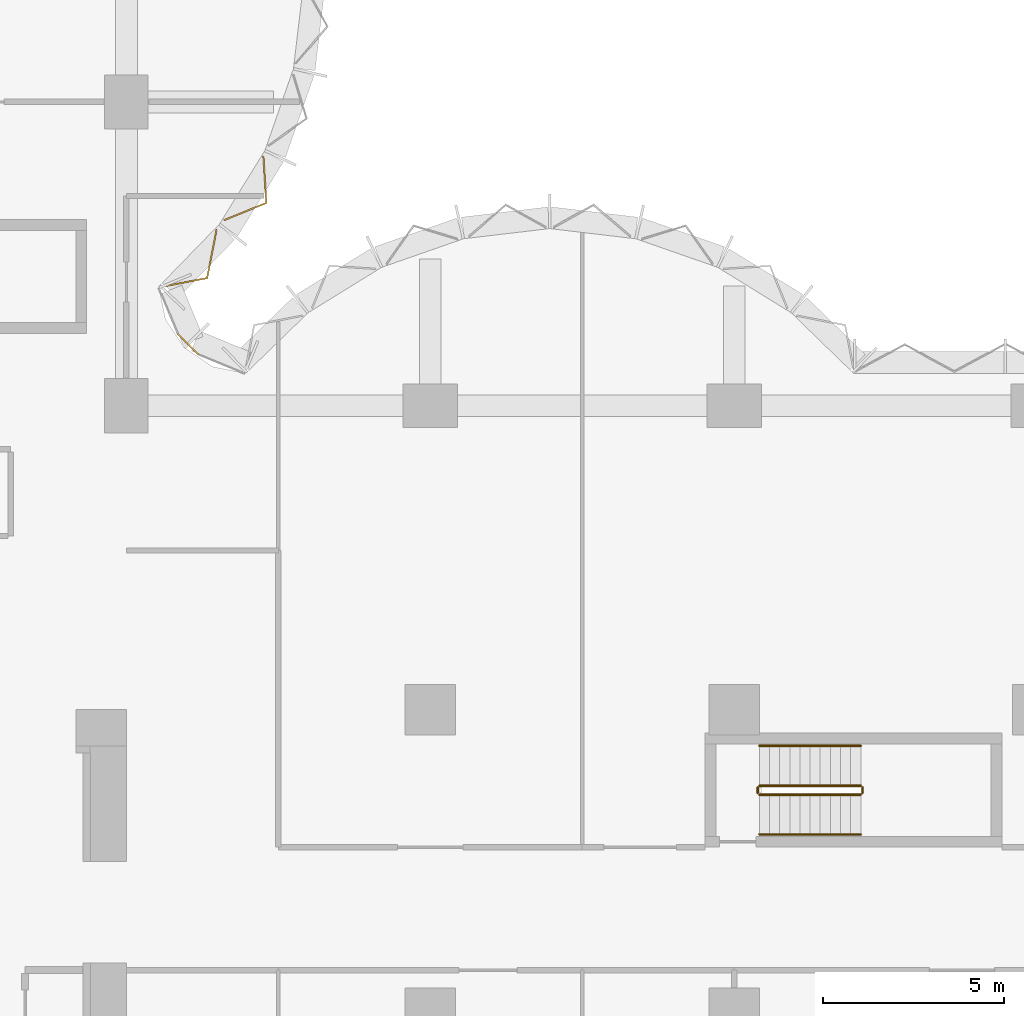
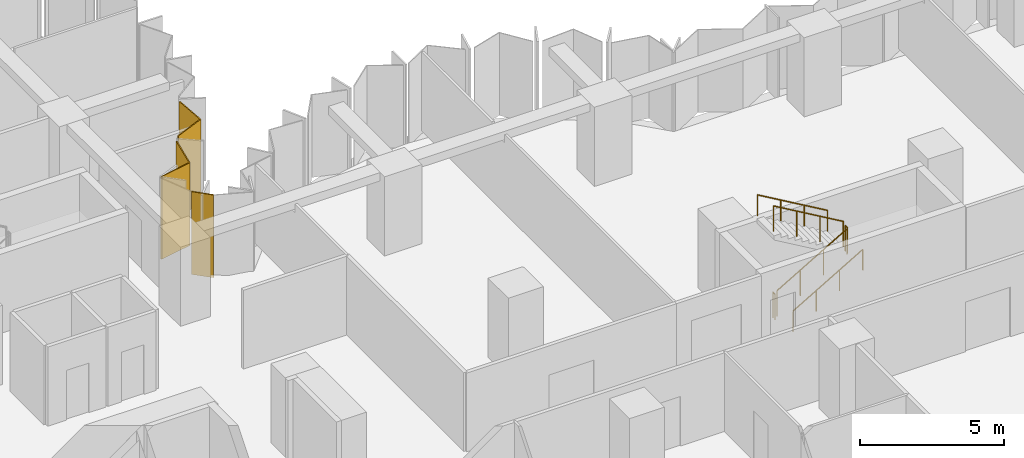
# One storey, part 14 of 15: 6 railings, 3 coverings, 2 elements without a shape of their own.
"""IFC4 building model written with IfcOpenShell, lengths in metres."""

from ifc_helpers import new_model, si_unit, direction, frame, origin, origin_2d, place, context, subcontext, project, spatial, polyline, circle, outline, extrude, material, layer, layer_set, type_object, element, aggregate, save


model = new_model("IFC4")

# Units and contexts
model_context = context("Model", 3, precision=1e-05, world=origin(), true_north=direction((0.0, 1.0)))
body_context = subcontext(model_context, "Body", "Model", "MODEL_VIEW")
ifc_project = project(units=[si_unit("LENGTHUNIT", "METRE"), si_unit("AREAUNIT", "SQUARE_METRE"), si_unit("VOLUMEUNIT", "CUBIC_METRE"), si_unit("PLANEANGLEUNIT", "RADIAN"), si_unit("MASSUNIT", "GRAM", prefix="KILO")], contexts=[model_context])

# Site, building, storey
site_placement = place(None, origin())
site = spatial("IfcSite", under=ifc_project, at=site_placement, CompositionType="ELEMENT")
building_placement = place(site_placement, origin())
building = spatial("IfcBuilding", under=site, at=building_placement, Name="Brevane Broadcast Tower", CompositionType="ELEMENT")
storey_placement = place(building_placement, frame((0.0, 0.0, 54.5)))
storey = spatial("IfcBuildingStorey", under=building, at=storey_placement, Name="L11", CompositionType="ELEMENT", Elevation=54.5)

# Railings
ifc_material_1 = material(Name="Steel S355", Category="steel")
railing_type_1 = type_object("IfcRailingType", Name="Exit stair guard", PredefinedType="GUARDRAIL", material=ifc_material_1)
railing_1_placement = place(storey_placement, frame((42.699951171875, 14.449951171875, 0.16357421875)))
element("IfcRailing", 1, at=railing_1_placement, inside=storey, type_object=railing_type_1, Name="L11 ST-4 stair guard 1", PredefinedType="GUARDRAIL", context=body_context, shape_type="SweptSolid", body=[
    extrude(circle(Radius=0.02392578125, at=origin_2d()), frame((0.0, 0.0, 1.076171875), z_axis=(0.863360870873, 0.0, 0.504586966384), x_axis=(0.0, 1.0, 0.0)), (0.0, 0.0, 1.0), 3.2431640625),
    extrude(circle(Radius=0.02099609375, at=origin_2d()), origin(), (0.0, 0.0, 1.0), 1.052001953125),
    extrude(circle(Radius=0.02099609375, at=origin_2d()), frame((0.933349609375, 0.0, 0.54541015625)), (0.0, 0.0, 1.0), 1.052001953125),
    extrude(circle(Radius=0.02099609375, at=origin_2d()), frame((1.86669921875, 0.0, 1.091064453125)), (0.0, 0.0, 1.0), 1.052001953125),
    extrude(circle(Radius=0.02099609375, at=origin_2d()), frame((2.800048828125, 0.0, 1.636474609375)), (0.0, 0.0, 1.0), 1.052001953125),
])
railing_2_placement = place(storey_placement, frame((45.550048828125, 14.5, 1.800048828125)))
element("IfcRailing", 2, at=railing_2_placement, inside=storey, type_object=railing_type_1, Name="L11 ST-4 stair guard 2", PredefinedType="GUARDRAIL", context=body_context, shape_type="SweptSolid", body=[
    extrude(circle(Radius=0.02392578125, at=origin_2d()), frame((0.0, 0.0, 1.076171875), z_axis=(0.0, 1.0, 0.0), x_axis=(-1.0, 0.0, 0.0)), (0.0, 0.0, 1.0), 0.14990234375),
    extrude(circle(Radius=0.02099609375, at=origin_2d()), origin(), (0.0, 0.0, 1.0), 1.052001953125),
    extrude(circle(Radius=0.02099609375, at=origin_2d()), frame((0.0, 0.14990234375, 0.0)), (0.0, 0.0, 1.0), 1.052001953125),
])
railing_3_placement = place(storey_placement, frame((45.5, 14.699951171875, 1.963623046875)))
element("IfcRailing", 3, at=railing_3_placement, inside=storey, type_object=railing_type_1, Name="L11 ST-4 stair guard 3", PredefinedType="GUARDRAIL", context=body_context, shape_type="SweptSolid", body=[
    extrude(circle(Radius=0.02392578125, at=origin_2d()), frame((0.0, 0.0, 1.076171875), z_axis=(-0.863360870873, 0.0, 0.504586966384), x_axis=(0.0, -1.0, 0.0)), (0.0, 0.0, 1.0), 3.2431640625),
    extrude(circle(Radius=0.02099609375, at=origin_2d()), origin(), (0.0, 0.0, 1.0), 1.052001953125),
    extrude(circle(Radius=0.02099609375, at=origin_2d()), frame((-0.933349609375, 0.0, 0.54541015625)), (0.0, 0.0, 1.0), 1.052001953125),
    extrude(circle(Radius=0.02099609375, at=origin_2d()), frame((-1.86669921875, 0.0, 1.091064453125)), (0.0, 0.0, 1.0), 1.052001953125),
    extrude(circle(Radius=0.02099609375, at=origin_2d()), frame((-2.800048828125, 0.0, 1.636474609375)), (0.0, 0.0, 1.0), 1.052001953125),
])
railing_4_placement = place(storey_placement, frame((42.64990234375, 14.5, 0.0)))
element("IfcRailing", 4, at=railing_4_placement, inside=storey, type_object=railing_type_1, Name="L11 ST-4 stair guard 4", PredefinedType="GUARDRAIL", context=body_context, shape_type="SweptSolid", body=[
    extrude(circle(Radius=0.02392578125, at=origin_2d()), frame((0.0, 0.0, 1.076171875), z_axis=(0.0, 1.0, 0.0), x_axis=(-1.0, 0.0, 0.0)), (0.0, 0.0, 1.0), 0.14990234375),
    extrude(circle(Radius=0.02099609375, at=origin_2d()), origin(), (0.0, 0.0, 1.0), 1.052001953125),
    extrude(circle(Radius=0.02099609375, at=origin_2d()), frame((0.0, 0.14990234375, 0.0)), (0.0, 0.0, 1.0), 1.052001953125),
])
railing_type_2 = type_object("IfcRailingType", Name="Exit stair handrail", PredefinedType="HANDRAIL", material=ifc_material_1)
railing_5_placement = place(storey_placement, frame((42.699951171875, 13.35009765625, 0.16357421875)))
element("IfcRailing", 5, at=railing_5_placement, inside=storey, type_object=railing_type_2, Name="L11 ST-4 stair handrail 1", PredefinedType="HANDRAIL", context=body_context, shape_type="SweptSolid", body=[
    extrude(circle(Radius=0.02392578125, at=origin_2d()), frame((0.0, 0.0, 0.8759765625), z_axis=(0.863360870873, 0.0, 0.504586966384), x_axis=(0.0, 1.0, 0.0)), (0.0, 0.0, 1.0), 3.2431640625),
    extrude(circle(Radius=0.02099609375, at=origin_2d()), origin(), (0.0, 0.0, 1.0), 0.851806640625),
    extrude(circle(Radius=0.02099609375, at=origin_2d()), frame((0.933349609375, 0.0, 0.54541015625)), (0.0, 0.0, 1.0), 0.851806640625),
    extrude(circle(Radius=0.02099609375, at=origin_2d()), frame((1.86669921875, 0.0, 1.091064453125)), (0.0, 0.0, 1.0), 0.851806640625),
    extrude(circle(Radius=0.02099609375, at=origin_2d()), frame((2.800048828125, 0.0, 1.636474609375)), (0.0, 0.0, 1.0), 0.851806640625),
])
railing_6_placement = place(storey_placement, frame((45.5, 15.800048828125, 1.963623046875)))
element("IfcRailing", 6, at=railing_6_placement, inside=storey, type_object=railing_type_2, Name="L11 ST-4 stair handrail 2", PredefinedType="HANDRAIL", context=body_context, shape_type="SweptSolid", body=[
    extrude(circle(Radius=0.02392578125, at=origin_2d()), frame((0.0, 0.0, 0.8759765625), z_axis=(-0.863360870873, 0.0, 0.504586966384), x_axis=(0.0, -1.0, 0.0)), (0.0, 0.0, 1.0), 3.2431640625),
    extrude(circle(Radius=0.02099609375, at=origin_2d()), origin(), (0.0, 0.0, 1.0), 0.851806640625),
    extrude(circle(Radius=0.02099609375, at=origin_2d()), frame((-0.933349609375, 0.0, 0.54541015625)), (0.0, 0.0, 1.0), 0.851806640625),
    extrude(circle(Radius=0.02099609375, at=origin_2d()), frame((-1.86669921875, 0.0, 1.091064453125)), (0.0, 0.0, 1.0), 0.851806640625),
    extrude(circle(Radius=0.02099609375, at=origin_2d()), frame((-2.800048828125, 0.0, 1.636474609375)), (0.0, 0.0, 1.0), 0.851806640625),
])

# Curtain wall, coverings
ifc_material_2 = material(Name="Aluminium 6063-T6 bronze anodised", Category="aluminium")
curtain_wall_type = type_object("IfcCurtainWallType", Name="CW-1 curtain wall", PredefinedType="NOTDEFINED", material=ifc_material_2)
curtain_wall_1_placement = place(storey_placement, origin())
curtain_wall_1 = element("IfcCurtainWall", 7, at=curtain_wall_1_placement, inside=storey, type_object=curtain_wall_type, Name="CW-1 typical tilted unit L11 north bow", PredefinedType="NOTDEFINED")
ifc_material_3 = material(Name="Back-painted bronze glass shadow-box", Category="glass")
ifc_layer = layer(ifc_material_3, 0.0400390625)
ifc_layer_set = layer_set([ifc_layer], Name="Shadow-box panel 40")
covering_type = type_object("IfcCoveringType", Name="Shadow-box panel 40", PredefinedType="CLADDING", material=ifc_layer_set)
covering_1_placement = place(storey_placement, frame((0.0, 0.0, -0.14990234375)))
covering_1 = element("IfcCovering", 8, at=covering_1_placement, type_object=covering_type, Name="Shadow-box panel", PredefinedType="CLADDING", context=body_context, shape_type="SweptSolid", body=[
    extrude(outline(polyline([(26.14404296875, 28.506103515625), (26.17919921875, 28.471923828125), (27.447265625, 28.7138671875), (27.71142578125, 30.0615234375), (27.67626953125, 30.089111328125), (27.4130859375, 28.748046875), (26.14404296875, 28.506103515625)])), origin(), (0.0, 0.0, 1.0), 3.5),
])
covering_2_placement = place(storey_placement, frame((0.0, 0.0, -0.14990234375)))
covering_2 = element("IfcCovering", 9, at=covering_2_placement, type_object=covering_type, Name="Shadow-box panel", PredefinedType="CLADDING", context=body_context, shape_type="SweptSolid", body=[
    extrude(outline(polyline([(27.8759765625, 30.343017578125), (27.912109375, 30.314697265625), (29.089111328125, 30.7958984375), (29.006591796875, 32.08935546875), (28.96533203125, 32.10888671875), (29.04736328125, 30.822265625), (27.8759765625, 30.343017578125)])), origin(), (0.0, 0.0, 1.0), 3.5),
])
aggregate(curtain_wall_1, [covering_1, covering_2])

# Curtain wall, covering
curtain_wall_2_placement = place(storey_placement, origin())
curtain_wall_2 = element("IfcCurtainWall", 10, at=curtain_wall_2_placement, inside=storey, type_object=curtain_wall_type, Name="CW-1 typical tilted unit L11 inner corner", PredefinedType="NOTDEFINED")
covering_3_placement = place(storey_placement, frame((0.0, 0.0, -0.14990234375)))
covering_3 = element("IfcCovering", 11, at=covering_3_placement, type_object=covering_type, Name="Closure panel", PredefinedType="CLADDING", context=body_context, shape_type="SweptSolid", body=[
    extrude(outline(polyline([(27.17138671875, 26.60498046875), (27.2021484375, 26.635498046875), (26.635498046875, 27.2021484375), (26.60498046875, 27.17138671875), (27.17138671875, 26.60498046875)])), origin(), (0.0, 0.0, 1.0), 3.5),
])
aggregate(curtain_wall_2, [covering_3])

save(model, "model.ifc")
